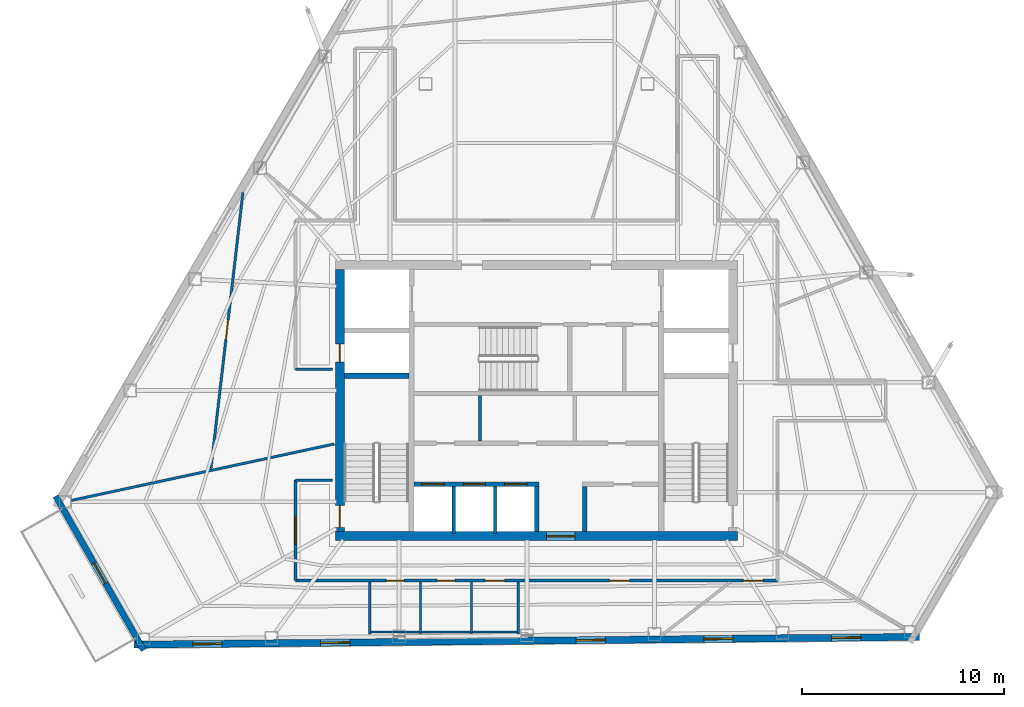
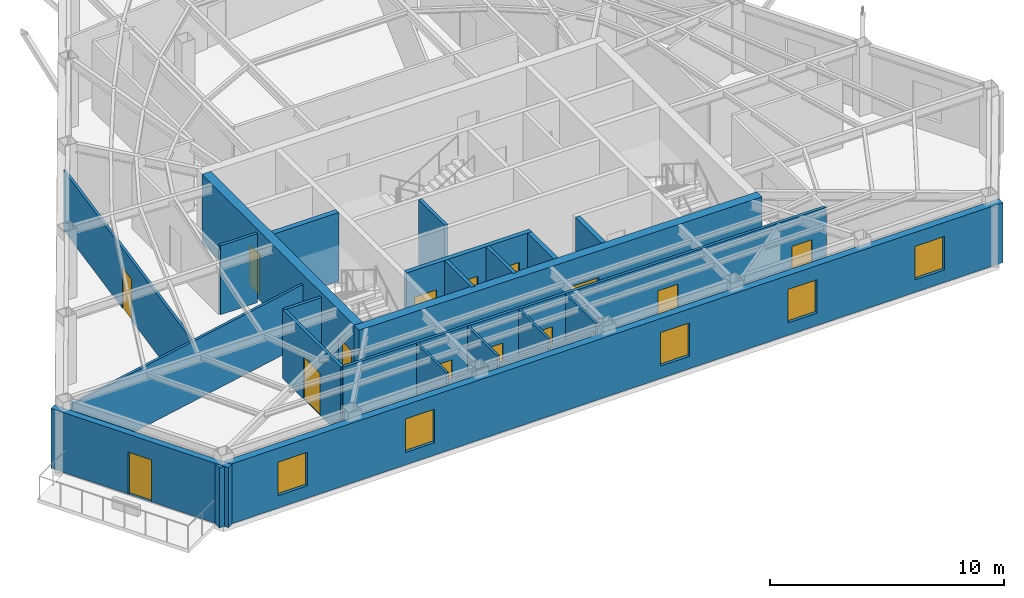
# One storey, part 7 of 11: 22 walls, 14 doors, 5 windows, 19 openings.
"""IFC4 building model written with IfcOpenShell, lengths in metres."""

from ifc_helpers import new_model, si_unit, direction, frame, frame_2d, origin, place, context, subcontext, project, spatial, rectangle, extrude, material, layer, layer_set, type_object, element, fill, save


model = new_model("IFC4")

# Units and contexts
model_context = context("Model", 3, precision=1e-05, world=origin(), true_north=direction((0.0, 1.0)))
body_context = subcontext(model_context, "Body", "Model", "MODEL_VIEW")
ifc_project = project(units=[si_unit("LENGTHUNIT", "METRE"), si_unit("AREAUNIT", "SQUARE_METRE"), si_unit("VOLUMEUNIT", "CUBIC_METRE"), si_unit("PLANEANGLEUNIT", "RADIAN"), si_unit("MASSUNIT", "GRAM", prefix="KILO")], contexts=[model_context])

# Site, building, storey
site_placement = place(None, origin())
site = spatial("IfcSite", under=ifc_project, at=site_placement, CompositionType="ELEMENT")
building_placement = place(site_placement, origin())
building = spatial("IfcBuilding", under=site, at=building_placement, Name="Kavelnor Concourse Tower", CompositionType="ELEMENT")
storey_placement = place(building_placement, frame((0.0, 0.0, 218.89990234375)))
storey = spatial("IfcBuildingStorey", under=building, at=storey_placement, Name="L55", CompositionType="ELEMENT", Elevation=218.89990234375)

# Wall, opening, door
ifc_material_1 = material(Name="Concrete C50/60", Category="concrete")
ifc_layer_1 = layer(ifc_material_1, 0.43994140625, Name="Concrete C50/60")
ifc_layer_set_1 = layer_set([ifc_layer_1], Name="Concrete C50/60")
wall_type_1 = type_object("IfcWallType", Name="WL-CORE-Z3-440", PredefinedType="SOLIDWALL", material=ifc_layer_set_1)
wall_1_placement = place(storey_placement, frame((28.0400390625, 9.3798828125, 0.0), z_axis=(0.0, 0.0, 1.0), x_axis=(1.0, 0.0, 0.0)))
wall_1 = element("IfcWall", 1, at=wall_1_placement, inside=storey, type_object=wall_type_1, Name="L55 Central Core South Shear Wall", PredefinedType="SOLIDWALL", context=body_context, shape_type="SweptSolid", body=[
    extrude(rectangle(XDim=19.919921875, YDim=0.43994140625, at=frame_2d((9.9599609375, 0.0))), origin(), (0.0, 0.0, 1.0), 3.60009765625),
])
opening_1_placement = place(wall_1_placement, frame((10.4599609375, 0.0, 0.0)))
opening_1 = element("IfcOpeningElement", 2, at=opening_1_placement, cuts=wall_1, Name="Opening SD-140", PredefinedType="OPENING", context=body_context, shape_type="SweptSolid", body=[
    extrude(rectangle(XDim=1.39990234375, YDim=2.199951171875, at=frame_2d((0.699951171875, 1.10009765625))), frame((0.0, 0.22998046875, 0.0), z_axis=(0.0, -1.0, 0.0), x_axis=(1.0, 0.0, 0.0)), (0.0, 0.0, 1.0), 0.4599609375),
])
ifc_material_2 = material(Name="Solid-core hardwood timber", Category="wood")
door_type_1 = type_object("IfcDoorType", Name="DR-SUITE-ENTRY-1400", OperationType="NOTDEFINED", PredefinedType="DOOR", material=ifc_material_2)
door_1_placement = place(opening_1_placement, origin())
door_1 = element("IfcDoor", 3, at=door_1_placement, inside=storey, type_object=door_type_1, Name="L55 Passenger Lift Lobby Entry Door", OperationType="SINGLE_SWING_RIGHT", OverallHeight=2.199951171875, OverallWidth=1.39990234375, PredefinedType="DOOR", context=body_context, shape_type="SweptSolid", body=[
    extrude(rectangle(XDim=1.39990234375, YDim=2.199951171875, at=frame_2d((0.699951171875, 1.10009765625))), frame((0.0, 0.02490234375, 0.0), z_axis=(0.0, -1.0, 0.0), x_axis=(1.0, 0.0, 0.0)), (0.0, 0.0, 1.0), 0.050048828125),
])
fill(opening_1, door_1)

# Wall, openings, doors
wall_2_placement = place(storey_placement, frame((28.260009765625, 9.60009765625, 0.0), z_axis=(0.0, 0.0, 1.0), x_axis=(0.0, 1.0, 0.0)))
wall_2 = element("IfcWall", 4, at=wall_2_placement, inside=storey, type_object=wall_type_1, Name="L55 Central Core West Shear Wall", PredefinedType="SOLIDWALL", context=body_context, shape_type="SweptSolid", body=[
    extrude(rectangle(XDim=13.0, YDim=0.43994140625, at=frame_2d((6.5, 0.0))), origin(), (0.0, 0.0, 1.0), 3.60009765625),
])
opening_2_placement = place(wall_2_placement, frame((0.199951171875, 0.0, 0.0)))
opening_2 = element("IfcOpeningElement", 5, at=opening_2_placement, cuts=wall_2, Name="Opening FD-110", PredefinedType="OPENING", context=body_context, shape_type="SweptSolid", body=[
    extrude(rectangle(XDim=1.10009765625, YDim=2.14990234375, at=frame_2d((0.550048828125, 1.074951171875))), frame((0.0, 0.22998046875, 0.0), z_axis=(0.0, -1.0, 0.0), x_axis=(1.0, 0.0, 0.0)), (0.0, 0.0, 1.0), 0.4599609375),
])
opening_3_placement = place(wall_2_placement, frame((8.39990234375, 0.0, 0.0)))
opening_3 = element("IfcOpeningElement", 6, at=opening_3_placement, cuts=wall_2, Name="Opening FD-090", PredefinedType="OPENING", context=body_context, shape_type="SweptSolid", body=[
    extrude(rectangle(XDim=0.89990234375, YDim=2.10009765625, at=frame_2d((0.449951171875, 1.050048828125))), frame((0.0, 0.22998046875, 0.0), z_axis=(0.0, -1.0, 0.0), x_axis=(1.0, 0.0, 0.0)), (0.0, 0.0, 1.0), 0.4599609375),
])
ifc_material_3 = material(Name="Steel Grade 350", Category="steel")
door_type_2 = type_object("IfcDoorType", Name="DR-RISER-FIRE-900", OperationType="NOTDEFINED", PredefinedType="DOOR", material=ifc_material_3)
door_2_placement = place(opening_3_placement, origin())
door_2 = element("IfcDoor", 7, at=door_2_placement, inside=storey, type_object=door_type_2, Name="L55 West Riser Access Door", OperationType="SINGLE_SWING_RIGHT", OverallHeight=2.10009765625, OverallWidth=0.89990234375, PredefinedType="DOOR", context=body_context, shape_type="SweptSolid", body=[
    extrude(rectangle(XDim=0.89990234375, YDim=2.10009765625, at=frame_2d((0.449951171875, 1.050048828125))), frame((0.0, 0.02490234375, 0.0), z_axis=(0.0, -1.0, 0.0), x_axis=(1.0, 0.0, 0.0)), (0.0, 0.0, 1.0), 0.050048828125),
])
fill(opening_3, door_2)
door_type_3 = type_object("IfcDoorType", Name="DR-STAIR-FIRE-1100", OperationType="NOTDEFINED", PredefinedType="DOOR", material=ifc_material_3)
door_3_placement = place(opening_2_placement, origin())
door_3 = element("IfcDoor", 8, at=door_3_placement, inside=storey, type_object=door_type_3, Name="L55 Stair ST1 Fire Door", OperationType="SINGLE_SWING_LEFT", OverallHeight=2.14990234375, OverallWidth=1.10009765625, PredefinedType="DOOR", context=body_context, shape_type="SweptSolid", body=[
    extrude(rectangle(XDim=1.10009765625, YDim=2.14990234375, at=frame_2d((0.550048828125, 1.074951171875))), frame((0.0, 0.02490234375, 0.0), z_axis=(0.0, -1.0, 0.0), x_axis=(1.0, 0.0, 0.0)), (0.0, 0.0, 1.0), 0.050048828125),
])
fill(opening_2, door_3)

# Wall, opening, door
ifc_material_4 = material(Name="Buff ironspot clay face brick masonry", Category="masonry")
ifc_layer_2 = layer(ifc_material_4, 0.300048828125, Name="Buff ironspot clay face brick masonry")
ifc_layer_set_2 = layer_set([ifc_layer_2], Name="Buff ironspot clay face brick masonry")
wall_type_2 = type_object("IfcWallType", Name="WL-EXT-BUFF-BRICK-FOLD-300", PredefinedType="STANDARD", material=ifc_layer_set_2)
wall_3_placement = place(storey_placement, frame((18.5341796875, 3.72265625, 0.0), z_axis=(0.0, 0.0, 1.0), x_axis=(-0.495678638022, 0.86850600908, 0.0)))
wall_3 = element("IfcWall", 9, at=wall_3_placement, inside=storey, type_object=wall_type_2, Name="L55 Exterior Brick Facade Wall E2", PredefinedType="STANDARD", context=body_context, shape_type="SweptSolid", body=[
    extrude(rectangle(XDim=8.797607421875, YDim=0.300048828125, at=frame_2d((4.39892578125, 0.0))), origin(), (0.0, 0.0, 1.0), 3.132080078125),
])
opening_4_placement = place(wall_3_placement, frame((3.82373046875, 0.0, 0.0)))
opening_4 = element("IfcOpeningElement", 10, at=opening_4_placement, cuts=wall_3, Name="Opening TD-115", PredefinedType="OPENING", context=body_context, shape_type="SweptSolid", body=[
    extrude(rectangle(XDim=1.14990234375, YDim=2.199951171875, at=frame_2d((0.574951171875, 1.10009765625))), frame((0.0, 0.16015625, 0.0), z_axis=(0.0, -1.0, 0.0), x_axis=(1.0, 0.0, 0.0)), (0.0, 0.0, 1.0), 0.320068359375),
])
ifc_material_5 = material(Name="Anodised aluminium 6063-T6", Category="aluminium")
door_type_4 = type_object("IfcDoorType", Name="DR-TERRACE-EXT-1150", OperationType="NOTDEFINED", PredefinedType="DOOR", material=ifc_material_5)
door_4_placement = place(opening_4_placement, origin())
door_4 = element("IfcDoor", 11, at=door_4_placement, inside=storey, type_object=door_type_4, Name="L55 Spiral Sky Terrace Access Door", OperationType="SINGLE_SWING_RIGHT", OverallHeight=2.199951171875, OverallWidth=1.14990234375, PredefinedType="DOOR", context=body_context, shape_type="SweptSolid", body=[
    extrude(rectangle(XDim=1.14990234375, YDim=2.199951171875, at=frame_2d((0.574951171875, 1.10009765625))), frame((0.0, 0.02490234375, 0.0), z_axis=(0.0, -1.0, 0.0), x_axis=(1.0, 0.0, 0.0)), (0.0, 0.0, 1.0), 0.050048828125),
])
fill(opening_4, door_4)

# Wall, openings, windows
ifc_material_6 = material(Name="Red-ochre clay face brick masonry", Category="masonry")
ifc_layer_3 = layer(ifc_material_6, 0.35009765625, Name="Red-ochre clay face brick masonry")
ifc_layer_set_3 = layer_set([ifc_layer_3], Name="Red-ochre clay face brick masonry")
wall_type_3 = type_object("IfcWallType", Name="WL-EXT-RED-BRICK-PIER-350", PredefinedType="STANDARD", material=ifc_layer_set_3)
wall_4_placement = place(storey_placement, frame((56.99755859375, 4.384521484375, 0.0), z_axis=(0.0, 0.0, 1.0), x_axis=(-0.999951327982, -0.009866188108, 0.0)))
wall_4 = element("IfcWall", 12, at=wall_4_placement, inside=storey, type_object=wall_type_3, Name="L55 Exterior Brick Facade Wall E3", PredefinedType="STANDARD", context=body_context, shape_type="SweptSolid", body=[
    extrude(rectangle(XDim=38.948974609375, YDim=0.35009765625, at=frame_2d((19.474609375, 0.0))), origin(), (0.0, 0.0, 1.0), 3.132080078125),
])
opening_5_placement = place(wall_4_placement, frame((34.57568359375, 0.0, 0.64990234375)))
opening_5 = element("IfcOpeningElement", 13, at=opening_5_placement, cuts=wall_4, Name="Opening W-03", PredefinedType="OPENING", context=body_context, shape_type="SweptSolid", body=[
    extrude(rectangle(XDim=1.449951171875, YDim=1.75, at=frame_2d((0.72509765625, 0.875))), frame((0.0, 0.18505859375, 0.0), z_axis=(0.0, -1.0, 0.0), x_axis=(1.0, 0.0, 0.0)), (0.0, 0.0, 1.0), 0.3701171875),
])
opening_6_placement = place(wall_4_placement, frame((28.243408203125, 0.0, 0.64990234375)))
opening_6 = element("IfcOpeningElement", 14, at=opening_6_placement, cuts=wall_4, Name="Opening W-03", PredefinedType="OPENING", context=body_context, shape_type="SweptSolid", body=[
    extrude(rectangle(XDim=1.449951171875, YDim=1.75, at=frame_2d((0.72509765625, 0.875))), frame((0.0, 0.18505859375, 0.0), z_axis=(0.0, -1.0, 0.0), x_axis=(1.0, 0.0, 0.0)), (0.0, 0.0, 1.0), 0.3701171875),
])
opening_7_placement = place(wall_4_placement, frame((15.57861328125, 0.0, 0.64990234375)))
opening_7 = element("IfcOpeningElement", 15, at=opening_7_placement, cuts=wall_4, Name="Opening W-03", PredefinedType="OPENING", context=body_context, shape_type="SweptSolid", body=[
    extrude(rectangle(XDim=1.449951171875, YDim=1.75, at=frame_2d((0.72509765625, 0.875))), frame((0.0, 0.18505859375, 0.0), z_axis=(0.0, -1.0, 0.0), x_axis=(1.0, 0.0, 0.0)), (0.0, 0.0, 1.0), 0.3701171875),
])
opening_8_placement = place(wall_4_placement, frame((9.24609375, 0.0, 0.64990234375)))
opening_8 = element("IfcOpeningElement", 16, at=opening_8_placement, cuts=wall_4, Name="Opening W-03", PredefinedType="OPENING", context=body_context, shape_type="SweptSolid", body=[
    extrude(rectangle(XDim=1.449951171875, YDim=1.75, at=frame_2d((0.72509765625, 0.875))), frame((0.0, 0.18505859375, 0.0), z_axis=(0.0, -1.0, 0.0), x_axis=(1.0, 0.0, 0.0)), (0.0, 0.0, 1.0), 0.3701171875),
])
opening_9_placement = place(wall_4_placement, frame((2.913818359375, 0.0, 0.64990234375)))
opening_9 = element("IfcOpeningElement", 17, at=opening_9_placement, cuts=wall_4, Name="Opening W-03", PredefinedType="OPENING", context=body_context, shape_type="SweptSolid", body=[
    extrude(rectangle(XDim=1.449951171875, YDim=1.75, at=frame_2d((0.72509765625, 0.875))), frame((0.0, 0.18505859375, 0.0), z_axis=(0.0, -1.0, 0.0), x_axis=(1.0, 0.0, 0.0)), (0.0, 0.0, 1.0), 0.3701171875),
])
ifc_material_7 = material(Name="Double low-E argon insulated glazing", Category="glass")
window_type = type_object("IfcWindowType", Name="WIN-PIER-Z3-1500", PartitioningType="SINGLE_PANEL", PredefinedType="WINDOW", material=ifc_material_7)
window_1_placement = place(opening_5_placement, origin())
window_1 = element("IfcWindow", 18, at=window_1_placement, inside=storey, type_object=window_type, Name="L55 Deep-Set Brick Pier Window F1-B0", OverallHeight=1.75, OverallWidth=1.449951171875, PartitioningType="SINGLE_PANEL", PredefinedType="WINDOW", context=body_context, shape_type="SweptSolid", body=[
    extrude(rectangle(XDim=1.449951171875, YDim=1.75, at=frame_2d((0.72509765625, 0.875))), frame((0.0, 0.030029296875, 0.0), z_axis=(0.0, -1.0, 0.0), x_axis=(1.0, 0.0, 0.0)), (0.0, 0.0, 1.0), 0.06005859375),
])
fill(opening_5, window_1)
window_2_placement = place(opening_6_placement, origin())
window_2 = element("IfcWindow", 19, at=window_2_placement, inside=storey, type_object=window_type, Name="L55 Deep-Set Brick Pier Window F1-B1", OverallHeight=1.75, OverallWidth=1.449951171875, PartitioningType="SINGLE_PANEL", PredefinedType="WINDOW", context=body_context, shape_type="SweptSolid", body=[
    extrude(rectangle(XDim=1.449951171875, YDim=1.75, at=frame_2d((0.72509765625, 0.875))), frame((0.0, 0.030029296875, 0.0), z_axis=(0.0, -1.0, 0.0), x_axis=(1.0, 0.0, 0.0)), (0.0, 0.0, 1.0), 0.06005859375),
])
fill(opening_6, window_2)
window_3_placement = place(opening_7_placement, origin())
window_3 = element("IfcWindow", 20, at=window_3_placement, inside=storey, type_object=window_type, Name="L55 Deep-Set Brick Pier Window F1-B3", OverallHeight=1.75, OverallWidth=1.449951171875, PartitioningType="SINGLE_PANEL", PredefinedType="WINDOW", context=body_context, shape_type="SweptSolid", body=[
    extrude(rectangle(XDim=1.449951171875, YDim=1.75, at=frame_2d((0.72509765625, 0.875))), frame((0.0, 0.030029296875, 0.0), z_axis=(0.0, -1.0, 0.0), x_axis=(1.0, 0.0, 0.0)), (0.0, 0.0, 1.0), 0.06005859375),
])
fill(opening_7, window_3)
window_4_placement = place(opening_8_placement, origin())
window_4 = element("IfcWindow", 21, at=window_4_placement, inside=storey, type_object=window_type, Name="L55 Deep-Set Brick Pier Window F1-B4", OverallHeight=1.75, OverallWidth=1.449951171875, PartitioningType="SINGLE_PANEL", PredefinedType="WINDOW", context=body_context, shape_type="SweptSolid", body=[
    extrude(rectangle(XDim=1.449951171875, YDim=1.75, at=frame_2d((0.72509765625, 0.875))), frame((0.0, 0.030029296875, 0.0), z_axis=(0.0, -1.0, 0.0), x_axis=(1.0, 0.0, 0.0)), (0.0, 0.0, 1.0), 0.06005859375),
])
fill(opening_8, window_4)
window_5_placement = place(opening_9_placement, origin())
window_5 = element("IfcWindow", 22, at=window_5_placement, inside=storey, type_object=window_type, Name="L55 Deep-Set Brick Pier Window F1-B5", OverallHeight=1.75, OverallWidth=1.449951171875, PartitioningType="SINGLE_PANEL", PredefinedType="WINDOW", context=body_context, shape_type="SweptSolid", body=[
    extrude(rectangle(XDim=1.449951171875, YDim=1.75, at=frame_2d((0.72509765625, 0.875))), frame((0.0, 0.030029296875, 0.0), z_axis=(0.0, -1.0, 0.0), x_axis=(1.0, 0.0, 0.0)), (0.0, 0.0, 1.0), 0.06005859375),
])
fill(opening_9, window_5)

# Wall
ifc_material_8 = material(Name="Gypsum plasterboard on light-gauge steel studs", Category="steel")
ifc_layer_4 = layer(ifc_material_8, 0.14501953125, Name="Gypsum plasterboard on light-gauge steel studs")
ifc_layer_set_4 = layer_set([ifc_layer_4], Name="Gypsum plasterboard on light-gauge steel studs")
wall_type_4 = type_object("IfcWallType", Name="WL-INT-CORR-145", PredefinedType="PARTITIONING", material=ifc_layer_set_4)
wall_5_placement = place(storey_placement, frame((27.8798828125, 17.64990234375, 0.0), z_axis=(0.0, 0.0, 1.0), x_axis=(-1.0, 0.0, 0.0)))
element("IfcWall", 23, at=wall_5_placement, inside=storey, type_object=wall_type_4, Name="L55 Corridor Wall WL-L55-CR-01", PredefinedType="PARTITIONING", context=body_context, shape_type="SweptSolid", body=[
    extrude(rectangle(XDim=1.81982421875, YDim=0.14501953125, at=frame_2d((0.909912109375, 0.0))), origin(), (0.0, 0.0, 1.0), 3.60009765625),
])

# Wall, openings, doors
wall_6_placement = place(storey_placement, frame((49.93994140625, 7.179931640625, 0.0), z_axis=(0.0, 0.0, 1.0), x_axis=(-1.0, 0.0, 0.0)))
wall_6 = element("IfcWall", 24, at=wall_6_placement, inside=storey, type_object=wall_type_4, Name="L55 Corridor Wall WL-L55-CR-17", PredefinedType="PARTITIONING", context=body_context, shape_type="SweptSolid", body=[
    extrude(rectangle(XDim=23.8798828125, YDim=0.14501953125, at=frame_2d((11.93994140625, 0.0))), origin(), (0.0, 0.0, 1.0), 3.60009765625),
])
opening_10_placement = place(wall_6_placement, frame((18.5, 0.0, 0.0)))
opening_10 = element("IfcOpeningElement", 25, at=opening_10_placement, cuts=wall_6, Name="Opening WD-088", PredefinedType="OPENING", context=body_context, shape_type="SweptSolid", body=[
    extrude(rectangle(XDim=0.8798828125, YDim=2.10009765625, at=frame_2d((0.43994140625, 1.050048828125))), frame((0.0, 0.08251953125, 0.0), z_axis=(0.0, -1.0, 0.0), x_axis=(1.0, 0.0, 0.0)), (0.0, 0.0, 1.0), 0.1650390625),
])
opening_11_placement = place(wall_6_placement, frame((15.97998046875, 0.0, 0.0)))
opening_11 = element("IfcOpeningElement", 26, at=opening_11_placement, cuts=wall_6, Name="Opening WD-088", PredefinedType="OPENING", context=body_context, shape_type="SweptSolid", body=[
    extrude(rectangle(XDim=0.8798828125, YDim=2.10009765625, at=frame_2d((0.43994140625, 1.050048828125))), frame((0.0, 0.08251953125, 0.0), z_axis=(0.0, -1.0, 0.0), x_axis=(1.0, 0.0, 0.0)), (0.0, 0.0, 1.0), 0.1650390625),
])
opening_12_placement = place(wall_6_placement, frame((13.52001953125, 0.0, 0.0)))
opening_12 = element("IfcOpeningElement", 27, at=opening_12_placement, cuts=wall_6, Name="Opening WD-096", PredefinedType="OPENING", context=body_context, shape_type="SweptSolid", body=[
    extrude(rectangle(XDim=0.9599609375, YDim=2.10009765625, at=frame_2d((0.47998046875, 1.050048828125))), frame((0.0, 0.08251953125, 0.0), z_axis=(0.0, -1.0, 0.0), x_axis=(1.0, 0.0, 0.0)), (0.0, 0.0, 1.0), 0.1650390625),
])
opening_13_placement = place(wall_6_placement, frame((7.332275390625, 0.0, 0.0)))
opening_13 = element("IfcOpeningElement", 28, at=opening_13_placement, cuts=wall_6, Name="Opening OD-098", PredefinedType="OPENING", context=body_context, shape_type="SweptSolid", body=[
    extrude(rectangle(XDim=0.97998046875, YDim=2.14990234375, at=frame_2d((0.489990234375, 1.074951171875))), frame((0.0, 0.08251953125, 0.0), z_axis=(0.0, -1.0, 0.0), x_axis=(1.0, 0.0, 0.0)), (0.0, 0.0, 1.0), 0.1650390625),
])
opening_14_placement = place(wall_6_placement, frame((0.70703125, 0.0, 0.0)))
opening_14 = element("IfcOpeningElement", 29, at=opening_14_placement, cuts=wall_6, Name="Opening OD-098", PredefinedType="OPENING", context=body_context, shape_type="SweptSolid", body=[
    extrude(rectangle(XDim=0.97998046875, YDim=2.14990234375, at=frame_2d((0.489990234375, 1.074951171875))), frame((0.0, 0.08251953125, 0.0), z_axis=(0.0, -1.0, 0.0), x_axis=(1.0, 0.0, 0.0)), (0.0, 0.0, 1.0), 0.1650390625),
])
door_type_5 = type_object("IfcDoorType", Name="DR-OFFICE-980", OperationType="NOTDEFINED", PredefinedType="DOOR", material=ifc_material_2)
door_5_placement = place(opening_13_placement, origin())
door_5 = element("IfcDoor", 30, at=door_5_placement, inside=storey, type_object=door_type_5, Name="L55 Workplace Open Office 07 Door", OperationType="SINGLE_SWING_LEFT", OverallHeight=2.14990234375, OverallWidth=0.97998046875, PredefinedType="DOOR", context=body_context, shape_type="SweptSolid", body=[
    extrude(rectangle(XDim=0.97998046875, YDim=2.14990234375, at=frame_2d((0.489990234375, 1.074951171875))), frame((0.0, 0.02490234375, 0.0), z_axis=(0.0, -1.0, 0.0), x_axis=(1.0, 0.0, 0.0)), (0.0, 0.0, 1.0), 0.050048828125),
])
fill(opening_13, door_5)
door_6_placement = place(opening_14_placement, origin())
door_6 = element("IfcDoor", 31, at=door_6_placement, inside=storey, type_object=door_type_5, Name="L55 Executive Dining Room 08 Door", OperationType="SINGLE_SWING_RIGHT", OverallHeight=2.14990234375, OverallWidth=0.97998046875, PredefinedType="DOOR", context=body_context, shape_type="SweptSolid", body=[
    extrude(rectangle(XDim=0.97998046875, YDim=2.14990234375, at=frame_2d((0.489990234375, 1.074951171875))), frame((0.0, 0.02490234375, 0.0), z_axis=(0.0, -1.0, 0.0), x_axis=(1.0, 0.0, 0.0)), (0.0, 0.0, 1.0), 0.050048828125),
])
fill(opening_14, door_6)
door_type_6 = type_object("IfcDoorType", Name="DR-WC-ACC-960", OperationType="NOTDEFINED", PredefinedType="DOOR", material=ifc_material_2)
door_7_placement = place(opening_12_placement, origin())
door_7 = element("IfcDoor", 32, at=door_7_placement, inside=storey, type_object=door_type_6, Name="L55 Accessible WC Door", OperationType="SINGLE_SWING_LEFT", OverallHeight=2.10009765625, OverallWidth=0.9599609375, PredefinedType="DOOR", context=body_context, shape_type="SweptSolid", body=[
    extrude(rectangle(XDim=0.9599609375, YDim=2.10009765625, at=frame_2d((0.47998046875, 1.050048828125))), frame((0.0, 0.02490234375, 0.0), z_axis=(0.0, -1.0, 0.0), x_axis=(1.0, 0.0, 0.0)), (0.0, 0.0, 1.0), 0.050048828125),
])
fill(opening_12, door_7)
door_type_7 = type_object("IfcDoorType", Name="DR-WC-STD-880", OperationType="NOTDEFINED", PredefinedType="DOOR", material=ifc_material_2)
door_8_placement = place(opening_10_placement, origin())
door_8 = element("IfcDoor", 33, at=door_8_placement, inside=storey, type_object=door_type_7, Name="L55 Male WC Door", OperationType="SINGLE_SWING_LEFT", OverallHeight=2.10009765625, OverallWidth=0.8798828125, PredefinedType="DOOR", context=body_context, shape_type="SweptSolid", body=[
    extrude(rectangle(XDim=0.8798828125, YDim=2.10009765625, at=frame_2d((0.43994140625, 1.050048828125))), frame((0.0, 0.02490234375, 0.0), z_axis=(0.0, -1.0, 0.0), x_axis=(1.0, 0.0, 0.0)), (0.0, 0.0, 1.0), 0.050048828125),
])
fill(opening_10, door_8)
door_9_placement = place(opening_11_placement, origin())
door_9 = element("IfcDoor", 34, at=door_9_placement, inside=storey, type_object=door_type_7, Name="L55 Female WC Door", OperationType="SINGLE_SWING_RIGHT", OverallHeight=2.10009765625, OverallWidth=0.8798828125, PredefinedType="DOOR", context=body_context, shape_type="SweptSolid", body=[
    extrude(rectangle(XDim=0.8798828125, YDim=2.10009765625, at=frame_2d((0.43994140625, 1.050048828125))), frame((0.0, 0.02490234375, 0.0), z_axis=(0.0, -1.0, 0.0), x_axis=(1.0, 0.0, 0.0)), (0.0, 0.0, 1.0), 0.050048828125),
])
fill(opening_11, door_9)

# Wall, opening, door
wall_7_placement = place(storey_placement, frame((26.06005859375, 7.179931640625, 0.0), z_axis=(0.0, 0.0, 1.0), x_axis=(0.0, 1.0, 0.0)))
wall_7 = element("IfcWall", 35, at=wall_7_placement, inside=storey, type_object=wall_type_4, Name="L55 Corridor Wall WL-L55-CR-18", PredefinedType="PARTITIONING", context=body_context, shape_type="SweptSolid", body=[
    extrude(rectangle(XDim=4.969970703125, YDim=0.14501953125, at=frame_2d((2.48486328125, 0.0))), origin(), (0.0, 0.0, 1.0), 3.60009765625),
])
opening_15_placement = place(wall_7_placement, frame((1.784912109375, 0.0, 0.0)))
opening_15 = element("IfcOpeningElement", 36, at=opening_15_placement, cuts=wall_7, Name="Opening SD-140", PredefinedType="OPENING", context=body_context, shape_type="SweptSolid", body=[
    extrude(rectangle(XDim=1.39990234375, YDim=2.199951171875, at=frame_2d((0.699951171875, 1.10009765625))), frame((0.0, 0.08251953125, 0.0), z_axis=(0.0, -1.0, 0.0), x_axis=(1.0, 0.0, 0.0)), (0.0, 0.0, 1.0), 0.1650390625),
])
door_10_placement = place(opening_15_placement, origin())
door_10 = element("IfcDoor", 37, at=door_10_placement, inside=storey, type_object=door_type_1, Name="L55 Tenant Bookstore Retail Shop 06 Door", OperationType="SINGLE_SWING_RIGHT", OverallHeight=2.199951171875, OverallWidth=1.39990234375, PredefinedType="DOOR", context=body_context, shape_type="SweptSolid", body=[
    extrude(rectangle(XDim=1.39990234375, YDim=2.199951171875, at=frame_2d((0.699951171875, 1.10009765625))), frame((0.0, 0.02490234375, 0.0), z_axis=(0.0, -1.0, 0.0), x_axis=(1.0, 0.0, 0.0)), (0.0, 0.0, 1.0), 0.050048828125),
])
fill(opening_15, door_10)

# Walls
wall_8_placement = place(storey_placement, frame((26.06005859375, 12.14990234375, 0.0), z_axis=(0.0, 0.0, 1.0), x_axis=(1.0, 0.0, 0.0)))
element("IfcWall", 38, at=wall_8_placement, inside=storey, type_object=wall_type_4, Name="L55 Corridor Wall WL-L55-CR-19", PredefinedType="PARTITIONING", context=body_context, shape_type="SweptSolid", body=[
    extrude(rectangle(XDim=1.81982421875, YDim=0.14501953125, at=frame_2d((0.909912109375, 0.0))), origin(), (0.0, 0.0, 1.0), 3.60009765625),
])
ifc_layer_5 = layer(ifc_material_8, 0.1650390625, Name="Gypsum plasterboard on light-gauge steel studs")
ifc_layer_set_5 = layer_set([ifc_layer_5], Name="Gypsum plasterboard on light-gauge steel studs")
wall_type_5 = type_object("IfcWallType", Name="WL-INT-FIRE-165", PredefinedType="PARTITIONING", material=ifc_layer_set_5)
for number, where, z_axis, x_axis, name in (
    (39, (33.89990234375, 9.52001953125, 0.0), (0.0, 0.0, 1.0), (0.0, 1.0, 0.0), "L55 Lift Shaft Divider LP7"),
    (40, (35.949951171875, 9.52001953125, 0.0), (0.0, 0.0, 1.0), (0.0, 1.0, 0.0), "L55 Lift Shaft Divider LP8"),
):
    element("IfcWall", number, at=place(storey_placement, frame(where, z_axis=z_axis, x_axis=x_axis)), inside=storey, type_object=wall_type_5, Name=name, PredefinedType="PARTITIONING", context=body_context, shape_type="SweptSolid", body=[
        extrude(rectangle(XDim=2.320068359375, YDim=0.1650390625, at=frame_2d((1.16015625, 0.0))), origin(), (0.0, 0.0, 1.0), 3.60009765625),
    ])
wall_9_placement = place(storey_placement, frame((35.199951171875, 14.10009765625, 0.0), z_axis=(0.0, 0.0, 1.0), x_axis=(0.0, 1.0, 0.0)))
element("IfcWall", 41, at=wall_9_placement, inside=storey, type_object=wall_type_5, Name="L55 Reclaimed Core Partition A", PredefinedType="PARTITIONING", context=body_context, shape_type="SweptSolid", body=[
    extrude(rectangle(XDim=2.239990234375, YDim=0.1650390625, at=frame_2d((1.1201171875, 0.0))), origin(), (0.0, 0.0, 1.0), 3.60009765625),
])
ifc_layer_6 = layer(ifc_material_8, 0.125, Name="Gypsum plasterboard on light-gauge steel studs")
ifc_layer_set_6 = layer_set([ifc_layer_6], Name="Gypsum plasterboard on light-gauge steel studs")
wall_type_6 = type_object("IfcWallType", Name="WL-INT-SUITE-125", PredefinedType="PARTITIONING", material=ifc_layer_set_6)
wall_10_placement = place(storey_placement, frame((27.97998046875, 13.947509765625, 0.0), z_axis=(0.0, 0.0, 1.0), x_axis=(-0.977699064588, -0.210010807112, 0.0)))
element("IfcWall", 42, at=wall_10_placement, inside=storey, type_object=wall_type_6, Name="L55 Radial Suite Partition 04", PredefinedType="PARTITIONING", context=body_context, shape_type="SweptSolid", body=[
    extrude(rectangle(XDim=13.32470703125, YDim=0.125, at=frame_2d((6.662353515625, 0.0))), origin(), (0.0, 0.0, 1.0), 3.14111328125),
])

# Wall, opening, door
wall_11_placement = place(storey_placement, frame((23.451904296875, 26.4052734375, 0.0), z_axis=(0.0, 0.0, 1.0), x_axis=(-0.11516270541, -0.993346642055, 0.0)))
wall_11 = element("IfcWall", 43, at=wall_11_placement, inside=storey, type_object=wall_type_6, Name="L55 Suite Subdivision Partition 03", PredefinedType="PARTITIONING", context=body_context, shape_type="SweptSolid", body=[
    extrude(rectangle(XDim=13.849609375, YDim=0.125, at=frame_2d((6.9248046875, 0.0))), origin(), (0.0, 0.0, 1.0), 3.135009765625),
])
opening_16_placement = place(wall_11_placement, frame((6.354736328125, 0.0, 0.0)))
opening_16 = element("IfcOpeningElement", 44, at=opening_16_placement, cuts=wall_11, Name="Opening OD-098", PredefinedType="OPENING", context=body_context, shape_type="SweptSolid", body=[
    extrude(rectangle(XDim=0.97998046875, YDim=2.14990234375, at=frame_2d((0.489990234375, 1.074951171875))), frame((0.0, 0.072509765625, 0.0), z_axis=(0.0, -1.0, 0.0), x_axis=(1.0, 0.0, 0.0)), (0.0, 0.0, 1.0), 0.14501953125),
])
door_11_placement = place(opening_16_placement, origin())
door_11 = element("IfcDoor", 45, at=door_11_placement, inside=storey, type_object=door_type_5, Name="L55 Tenant Bookstore Retail Shop 05 Door", OperationType="SINGLE_SWING_LEFT", OverallHeight=2.14990234375, OverallWidth=0.97998046875, PredefinedType="DOOR", context=body_context, shape_type="SweptSolid", body=[
    extrude(rectangle(XDim=0.97998046875, YDim=2.14990234375, at=frame_2d((0.489990234375, 1.074951171875))), frame((0.0, 0.02490234375, 0.0), z_axis=(0.0, -1.0, 0.0), x_axis=(1.0, 0.0, 0.0)), (0.0, 0.0, 1.0), 0.050048828125),
])
fill(opening_16, door_11)

# Walls
ifc_layer_7 = layer(ifc_material_8, 0.110107421875, Name="Gypsum plasterboard on light-gauge steel studs")
ifc_layer_set_7 = layer_set([ifc_layer_7], Name="Gypsum plasterboard on light-gauge steel studs")
wall_type_7 = type_object("IfcWallType", Name="WL-INT-WC-110", PredefinedType="PLUMBINGWALL", material=ifc_layer_set_7)
for number, where, z_axis, x_axis, name in (
    (46, (29.739990234375, 4.530029296875, 0.0), (0.0, 0.0, 1.0), (0.0, 1.0, 0.0), "L55 Sanitary Partition WL-L55-WC-W"),
    (47, (32.260009765625, 4.530029296875, 0.0), (0.0, 0.0, 1.0), (0.0, 1.0, 0.0), "L55 Sanitary Partition WL-L55-WC-D1"),
    (48, (34.780029296875, 4.530029296875, 0.0), (0.0, 0.0, 1.0), (0.0, 1.0, 0.0), "L55 Sanitary Partition WL-L55-WC-D2"),
    (49, (37.10009765625, 4.530029296875, 0.0), (0.0, 0.0, 1.0), (0.0, 1.0, 0.0), "L55 Sanitary Partition WL-L55-WC-E"),
):
    element("IfcWall", number, at=place(storey_placement, frame(where, z_axis=z_axis, x_axis=x_axis)), inside=storey, type_object=wall_type_7, Name=name, PredefinedType="PLUMBINGWALL", context=body_context, shape_type="SweptSolid", body=[
        extrude(rectangle(XDim=2.580078125, YDim=0.110107421875, at=frame_2d((1.2900390625, 0.0))), origin(), (0.0, 0.0, 1.0), 3.60009765625),
    ])
wall_12_placement = place(storey_placement, frame((29.68994140625, 4.6298828125, 0.0), z_axis=(0.0, 0.0, 1.0), x_axis=(1.0, 0.0, 0.0)))
element("IfcWall", 50, at=wall_12_placement, inside=storey, type_object=wall_type_7, Name="L55 Sanitary Partition WL-L55-WC-S", PredefinedType="PLUMBINGWALL", context=body_context, shape_type="SweptSolid", body=[
    extrude(rectangle(XDim=7.4599609375, YDim=0.110107421875, at=frame_2d((3.72998046875, 0.0))), origin(), (0.0, 0.0, 1.0), 3.135009765625),
])

# Wall, openings, doors
ifc_layer_8 = layer(ifc_material_1, 0.219970703125, Name="Concrete C50/60")
ifc_layer_set_8 = layer_set([ifc_layer_8], Name="Concrete C50/60")
wall_type_8 = type_object("IfcWallType", Name="WL-SHAFT-220", PredefinedType="SOLIDWALL", material=ifc_layer_set_8)
wall_13_placement = place(storey_placement, frame((31.93994140625, 11.949951171875, 0.0), z_axis=(0.0, 0.0, 1.0), x_axis=(1.0, 0.0, 0.0)))
wall_13 = element("IfcWall", 51, at=wall_13_placement, inside=storey, type_object=wall_type_8, Name="L55 High-Rise Lift Bank North Wall", PredefinedType="SOLIDWALL", context=body_context, shape_type="SweptSolid", body=[
    extrude(rectangle(XDim=6.18994140625, YDim=0.219970703125, at=frame_2d((3.094970703125, 0.0))), origin(), (0.0, 0.0, 1.0), 3.60009765625),
])
opening_17_placement = place(wall_13_placement, frame((0.385009765625, 0.0, 0.0)))
opening_17 = element("IfcOpeningElement", 52, at=opening_17_placement, cuts=wall_13, Name="Opening LD-110", PredefinedType="OPENING", context=body_context, shape_type="SweptSolid", body=[
    extrude(rectangle(XDim=1.10009765625, YDim=2.199951171875, at=frame_2d((0.550048828125, 1.10009765625))), frame((0.0, 0.1201171875, 0.0), z_axis=(0.0, -1.0, 0.0), x_axis=(1.0, 0.0, 0.0)), (0.0, 0.0, 1.0), 0.239990234375),
])
opening_18_placement = place(wall_13_placement, frame((2.43505859375, 0.0, 0.0)))
opening_18 = element("IfcOpeningElement", 53, at=opening_18_placement, cuts=wall_13, Name="Opening LD-110", PredefinedType="OPENING", context=body_context, shape_type="SweptSolid", body=[
    extrude(rectangle(XDim=1.10009765625, YDim=2.199951171875, at=frame_2d((0.550048828125, 1.10009765625))), frame((0.0, 0.1201171875, 0.0), z_axis=(0.0, -1.0, 0.0), x_axis=(1.0, 0.0, 0.0)), (0.0, 0.0, 1.0), 0.239990234375),
])
opening_19_placement = place(wall_13_placement, frame((4.485107421875, 0.0, 0.0)))
opening_19 = element("IfcOpeningElement", 54, at=opening_19_placement, cuts=wall_13, Name="Opening LD-110", PredefinedType="OPENING", context=body_context, shape_type="SweptSolid", body=[
    extrude(rectangle(XDim=1.10009765625, YDim=2.199951171875, at=frame_2d((0.550048828125, 1.10009765625))), frame((0.0, 0.1201171875, 0.0), z_axis=(0.0, -1.0, 0.0), x_axis=(1.0, 0.0, 0.0)), (0.0, 0.0, 1.0), 0.239990234375),
])
door_type_8 = type_object("IfcDoorType", Name="DR-LIFT-SLIDING-1100", OperationType="NOTDEFINED", PredefinedType="DOOR", material=ifc_material_3)
door_12_placement = place(opening_17_placement, origin())
door_12 = element("IfcDoor", 55, at=door_12_placement, inside=storey, type_object=door_type_8, Name="L55 Lift LP7 Landing Door", OperationType="DOUBLE_DOOR_SLIDING", OverallHeight=2.199951171875, OverallWidth=1.10009765625, PredefinedType="DOOR", context=body_context, shape_type="SweptSolid", body=[
    extrude(rectangle(XDim=1.10009765625, YDim=2.199951171875, at=frame_2d((0.550048828125, 1.10009765625))), frame((0.0, 0.02490234375, 0.0), z_axis=(0.0, -1.0, 0.0), x_axis=(1.0, 0.0, 0.0)), (0.0, 0.0, 1.0), 0.050048828125),
])
fill(opening_17, door_12)
door_13_placement = place(opening_18_placement, origin())
door_13 = element("IfcDoor", 56, at=door_13_placement, inside=storey, type_object=door_type_8, Name="L55 Lift LP8 Landing Door", OperationType="DOUBLE_DOOR_SLIDING", OverallHeight=2.199951171875, OverallWidth=1.10009765625, PredefinedType="DOOR", context=body_context, shape_type="SweptSolid", body=[
    extrude(rectangle(XDim=1.10009765625, YDim=2.199951171875, at=frame_2d((0.550048828125, 1.10009765625))), frame((0.0, 0.02490234375, 0.0), z_axis=(0.0, -1.0, 0.0), x_axis=(1.0, 0.0, 0.0)), (0.0, 0.0, 1.0), 0.050048828125),
])
fill(opening_18, door_13)
door_14_placement = place(opening_19_placement, origin())
door_14 = element("IfcDoor", 57, at=door_14_placement, inside=storey, type_object=door_type_8, Name="L55 Lift LP9 Landing Door", OperationType="DOUBLE_DOOR_SLIDING", OverallHeight=2.199951171875, OverallWidth=1.10009765625, PredefinedType="DOOR", context=body_context, shape_type="SweptSolid", body=[
    extrude(rectangle(XDim=1.10009765625, YDim=2.199951171875, at=frame_2d((0.550048828125, 1.10009765625))), frame((0.0, 0.02490234375, 0.0), z_axis=(0.0, -1.0, 0.0), x_axis=(1.0, 0.0, 0.0)), (0.0, 0.0, 1.0), 0.050048828125),
])
fill(opening_19, door_14)

# Walls
for number, where, z_axis, x_axis, name in (
    (58, (38.02001953125, 9.60009765625, 0.0), (0.0, 0.0, 1.0), (0.0, 1.0, 0.0), "L55 Lift Lobby Throat West Wall"),
    (59, (40.389892578125, 9.60009765625, 0.0), (0.0, 0.0, 1.0), (0.0, 1.0, 0.0), "L55 Lift Lobby Throat East Wall"),
):
    element("IfcWall", number, at=place(storey_placement, frame(where, z_axis=z_axis, x_axis=x_axis)), inside=storey, type_object=wall_type_8, Name=name, PredefinedType="SOLIDWALL", context=body_context, shape_type="SweptSolid", body=[
        extrude(rectangle(XDim=2.239990234375, YDim=0.219970703125, at=frame_2d((1.1201171875, 0.0))), origin(), (0.0, 0.0, 1.0), 3.60009765625),
    ])
ifc_layer_9 = layer(ifc_material_1, 0.260009765625, Name="Concrete C50/60")
ifc_layer_set_9 = layer_set([ifc_layer_9], Name="Concrete C50/60")
wall_type_9 = type_object("IfcWallType", Name="WL-SHAFT-260", PredefinedType="SHEAR", material=ifc_layer_set_9)
wall_14_placement = place(storey_placement, frame((28.47998046875, 17.330078125, 0.0), z_axis=(0.0, 0.0, 1.0), x_axis=(1.0, 0.0, 0.0)))
element("IfcWall", 60, at=wall_14_placement, inside=storey, type_object=wall_type_9, Name="L55 Stair ST1 North Shaft Wall", PredefinedType="SHEAR", context=body_context, shape_type="SweptSolid", body=[
    extrude(rectangle(XDim=3.199951171875, YDim=0.260009765625, at=frame_2d((1.60009765625, 0.0))), origin(), (0.0, 0.0, 1.0), 3.60009765625),
])

save(model, "model.ifc")
